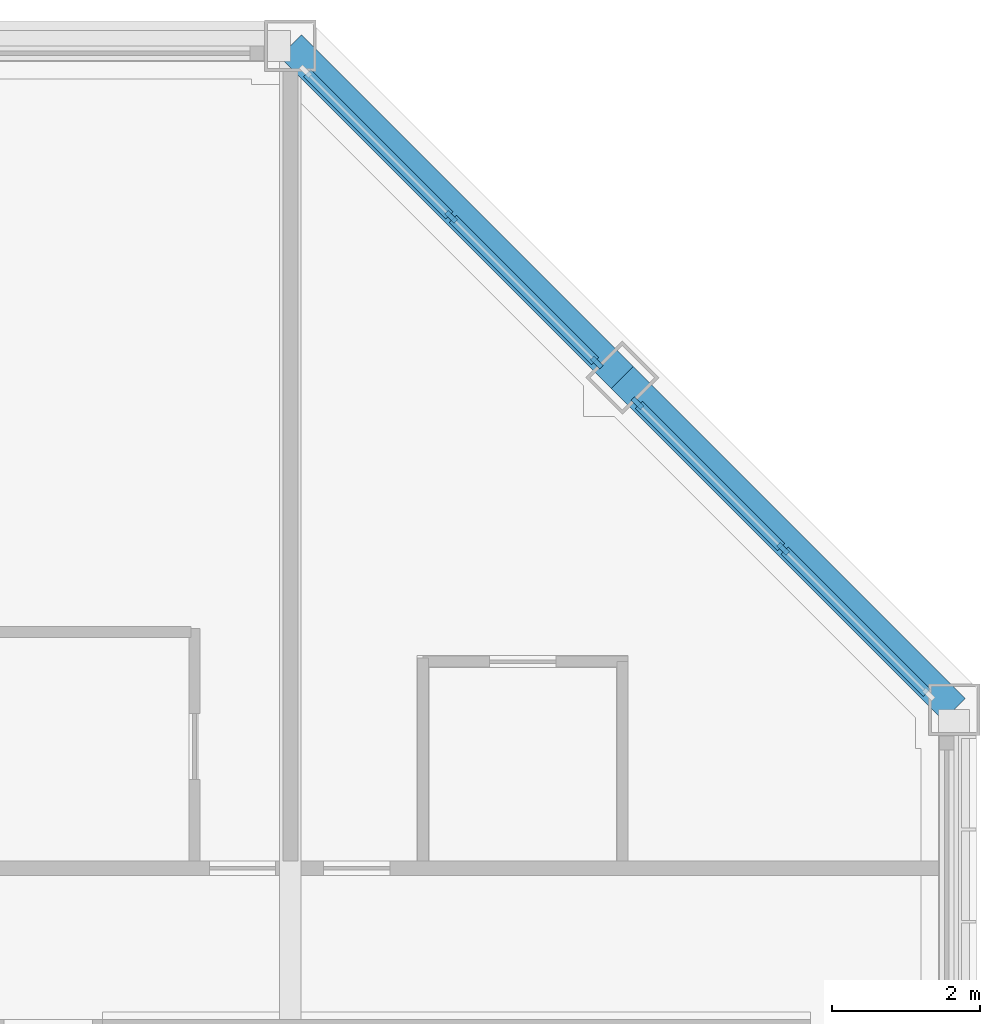
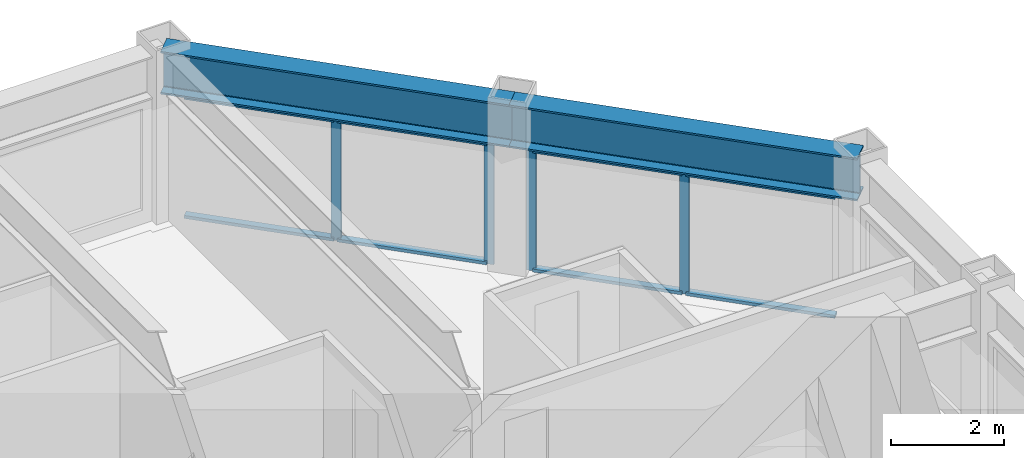
# One storey, part 7 of 17: 12 members, 2 beams, 2 elements without a shape of their own.
"""IFC4 building model written with IfcOpenShell, lengths in metres."""

from ifc_helpers import new_model, si_unit, direction, frame, origin, origin_2d, place, context, subcontext, project, spatial, rectangle, i_section, extrude, material, material_profile, profile_set, type_object, element, aggregate, save


model = new_model("IFC4")

# Units and contexts
model_context = context("Model", 3, precision=1e-05, world=origin(), true_north=direction((0.0, 1.0)))
body_context = subcontext(model_context, "Body", "Model", "MODEL_VIEW")
ifc_project = project(units=[si_unit("LENGTHUNIT", "METRE"), si_unit("AREAUNIT", "SQUARE_METRE"), si_unit("VOLUMEUNIT", "CUBIC_METRE"), si_unit("PLANEANGLEUNIT", "RADIAN"), si_unit("MASSUNIT", "GRAM", prefix="KILO")], contexts=[model_context])

# Site, building, storey
site_placement = place(None, origin())
site = spatial("IfcSite", under=ifc_project, at=site_placement, CompositionType="ELEMENT")
building_placement = place(site_placement, origin())
building = spatial("IfcBuilding", under=site, at=building_placement, Name="Msasa Ring Tower", CompositionType="ELEMENT")
storey_placement = place(building_placement, frame((0.0, 0.0, 242.050048828125)))
storey = spatial("IfcBuildingStorey", under=building, at=storey_placement, Name="L63", CompositionType="ELEMENT", Elevation=242.050048828125)

# Curtain wall, members
ifc_material_1 = material(Name="Aluminium curtain wall with clear glass", Category="aluminium")
curtain_wall_type = type_object("IfcCurtainWallType", Name="CW-C CHAMFER CORNER CURTAIN WALL", PredefinedType="NOTDEFINED", material=ifc_material_1)
curtain_wall_1_placement = place(storey_placement, origin())
curtain_wall_1 = element("IfcCurtainWall", 1, at=curtain_wall_1_placement, inside=storey, type_object=curtain_wall_type, Name="Chamfer corner curtain wall NE L63", PredefinedType="NOTDEFINED")
ifc_material_2 = material(Name="Aluminium mullion", Category="aluminium")
ifc_material_profile_1 = material_profile(ifc_material_2, rectangle(XDim=0.06494140625, YDim=0.179931640625, at=origin_2d()), Name="AL 65x180")
ifc_profile_set_1 = profile_set([ifc_material_profile_1], Name="Aluminium mullion")
member_type_1 = type_object("IfcMemberType", Name="CW-C MULLION 65x180", PredefinedType="MULLION", material=ifc_profile_set_1)
member_1_placement = place(storey_placement, frame((15.4052734375, 15.953369140625, 0.0), z_axis=(0.0, 0.0, 1.0), x_axis=(-0.707106781187, -0.707106781187, 0.0)))
member_1 = element("IfcMember", 2, at=member_1_placement, type_object=member_type_1, Name="CW-C mullion 1", PredefinedType="MULLION", context=body_context, shape_type="SweptSolid", body=[
    extrude(rectangle(XDim=0.06494140625, YDim=0.179931640625, at=origin_2d()), origin(), (0.0, 0.0, 1.0), 2.62890625),
])
member_2_placement = place(storey_placement, frame((13.42919921875, 17.92919921875, 0.0), z_axis=(0.0, 0.0, 1.0), x_axis=(-0.707106781187, -0.707106781187, 0.0)))
member_2 = element("IfcMember", 3, at=member_2_placement, type_object=member_type_1, Name="CW-C mullion 2", PredefinedType="MULLION", context=body_context, shape_type="SweptSolid", body=[
    extrude(rectangle(XDim=0.06494140625, YDim=0.179931640625, at=origin_2d()), origin(), (0.0, 0.0, 1.0), 2.62890625),
])

curtain_wall_2_placement = place(storey_placement, origin())
curtain_wall_2 = element("IfcCurtainWall", 4, at=curtain_wall_2_placement, inside=storey, type_object=curtain_wall_type, Name="Chamfer corner curtain wall NE L63", PredefinedType="NOTDEFINED")
member_3_placement = place(storey_placement, frame((17.92919921875, 13.42919921875, 0.0), z_axis=(0.0, 0.0, 1.0), x_axis=(-0.707106781187, -0.707106781187, 0.0)))
member_3 = element("IfcMember", 5, at=member_3_placement, type_object=member_type_1, Name="CW-C mullion 2", PredefinedType="MULLION", context=body_context, shape_type="SweptSolid", body=[
    extrude(rectangle(XDim=0.06494140625, YDim=0.179931640625, at=origin_2d()), origin(), (0.0, 0.0, 1.0), 2.62890625),
])
member_4_placement = place(storey_placement, frame((15.953369140625, 15.4052734375, 0.0), z_axis=(0.0, 0.0, 1.0), x_axis=(-0.707106781187, -0.707106781187, 0.0)))
member_4 = element("IfcMember", 6, at=member_4_placement, type_object=member_type_1, Name="CW-C mullion 3", PredefinedType="MULLION", context=body_context, shape_type="SweptSolid", body=[
    extrude(rectangle(XDim=0.06494140625, YDim=0.179931640625, at=origin_2d()), origin(), (0.0, 0.0, 1.0), 2.62890625),
])

# Member
ifc_material_3 = material(Name="Aluminium transom", Category="aluminium")
ifc_material_profile_2 = material_profile(ifc_material_3, rectangle(XDim=0.139892578125, YDim=0.06494140625, at=origin_2d()), Name="AL 65x140")
ifc_profile_set_2 = profile_set([ifc_material_profile_2], Name="Aluminium transom")
member_type_2 = type_object("IfcMemberType", Name="CW-C TRANSOM 65x140", PredefinedType="USERDEFINED", material=ifc_profile_set_2)
member_5_placement = place(storey_placement, frame((15.38232421875, 15.976318359375, 0.032470703125), z_axis=(-0.707106781187, 0.707106781187, 0.0), x_axis=(-0.707106781187, -0.707106781187, 0.0)))
member_5 = element("IfcMember", 7, at=member_5_placement, type_object=member_type_2, Name="CW-C transom 1.1", ObjectType="TRANSOM", PredefinedType="USERDEFINED", context=body_context, shape_type="SweptSolid", body=[
    extrude(rectangle(XDim=0.139892578125, YDim=0.06494140625, at=origin_2d()), origin(), (0.0, 0.0, 1.0), 2.729248046875),
])

member_6_placement = place(storey_placement, frame((15.38232421875, 15.976318359375, 2.596435546875), z_axis=(-0.707106781187, 0.707106781187, 0.0), x_axis=(-0.707106781187, -0.707106781187, 0.0)))
member_6 = element("IfcMember", 8, at=member_6_placement, type_object=member_type_2, Name="CW-C transom 1.2", ObjectType="TRANSOM", PredefinedType="USERDEFINED", context=body_context, shape_type="SweptSolid", body=[
    extrude(rectangle(XDim=0.139892578125, YDim=0.06494140625, at=origin_2d()), origin(), (0.0, 0.0, 1.0), 2.729248046875),
])

member_7_placement = place(storey_placement, frame((13.40625, 17.952392578125, 0.032470703125), z_axis=(-0.707106781187, 0.707106781187, 0.0), x_axis=(-0.707106781187, -0.707106781187, 0.0)))
member_7 = element("IfcMember", 9, at=member_7_placement, type_object=member_type_2, Name="CW-C transom 2.1", ObjectType="TRANSOM", PredefinedType="USERDEFINED", context=body_context, shape_type="SweptSolid", body=[
    extrude(rectangle(XDim=0.139892578125, YDim=0.06494140625, at=origin_2d()), origin(), (0.0, 0.0, 1.0), 2.729248046875),
])

member_8_placement = place(storey_placement, frame((13.40625, 17.952392578125, 2.596435546875), z_axis=(-0.707106781187, 0.707106781187, 0.0), x_axis=(-0.707106781187, -0.707106781187, 0.0)))
member_8 = element("IfcMember", 10, at=member_8_placement, type_object=member_type_2, Name="CW-C transom 2.2", ObjectType="TRANSOM", PredefinedType="USERDEFINED", context=body_context, shape_type="SweptSolid", body=[
    extrude(rectangle(XDim=0.139892578125, YDim=0.06494140625, at=origin_2d()), origin(), (0.0, 0.0, 1.0), 2.729248046875),
])

aggregate(curtain_wall_1, [member_1, member_2, member_5, member_6, member_7, member_8])

member_9_placement = place(storey_placement, frame((19.88232421875, 11.476318359375, 0.032470703125), z_axis=(-0.707106781187, 0.707106781187, 0.0), x_axis=(-0.707106781187, -0.707106781187, 0.0)))
member_9 = element("IfcMember", 11, at=member_9_placement, type_object=member_type_2, Name="CW-C transom 1.1", ObjectType="TRANSOM", PredefinedType="USERDEFINED", context=body_context, shape_type="SweptSolid", body=[
    extrude(rectangle(XDim=0.139892578125, YDim=0.06494140625, at=origin_2d()), origin(), (0.0, 0.0, 1.0), 2.729248046875),
])

member_10_placement = place(storey_placement, frame((19.88232421875, 11.476318359375, 2.596435546875), z_axis=(-0.707106781187, 0.707106781187, 0.0), x_axis=(-0.707106781187, -0.707106781187, 0.0)))
member_10 = element("IfcMember", 12, at=member_10_placement, type_object=member_type_2, Name="CW-C transom 1.2", ObjectType="TRANSOM", PredefinedType="USERDEFINED", context=body_context, shape_type="SweptSolid", body=[
    extrude(rectangle(XDim=0.139892578125, YDim=0.06494140625, at=origin_2d()), origin(), (0.0, 0.0, 1.0), 2.729248046875),
])

member_11_placement = place(storey_placement, frame((17.90625, 13.452392578125, 0.032470703125), z_axis=(-0.707106781187, 0.707106781187, 0.0), x_axis=(-0.707106781187, -0.707106781187, 0.0)))
member_11 = element("IfcMember", 13, at=member_11_placement, type_object=member_type_2, Name="CW-C transom 2.1", ObjectType="TRANSOM", PredefinedType="USERDEFINED", context=body_context, shape_type="SweptSolid", body=[
    extrude(rectangle(XDim=0.139892578125, YDim=0.06494140625, at=origin_2d()), origin(), (0.0, 0.0, 1.0), 2.729248046875),
])

member_12_placement = place(storey_placement, frame((17.90625, 13.452392578125, 2.596435546875), z_axis=(-0.707106781187, 0.707106781187, 0.0), x_axis=(-0.707106781187, -0.707106781187, 0.0)))
member_12 = element("IfcMember", 14, at=member_12_placement, type_object=member_type_2, Name="CW-C transom 2.2", ObjectType="TRANSOM", PredefinedType="USERDEFINED", context=body_context, shape_type="SweptSolid", body=[
    extrude(rectangle(XDim=0.139892578125, YDim=0.06494140625, at=origin_2d()), origin(), (0.0, 0.0, 1.0), 2.729248046875),
])

aggregate(curtain_wall_2, [member_3, member_4, member_9, member_10, member_11, member_12])

# Beams
ifc_material_4 = material(Name="Steel S355", Category="steel")
ifc_material_profile_3 = material_profile(ifc_material_4, i_section(OverallWidth=0.42041015625, OverallDepth=0.9208984375, WebThickness=0.021484375, FlangeThickness=0.03662109375, FilletRadius=0.024169921875, at=origin_2d()), Name="UB 914x419x388")
ifc_profile_set_3 = profile_set([ifc_material_profile_3], Name="Steel S355")
beam_type = type_object("IfcBeamType", Name="SB1 UB 914x419x388", PredefinedType="SPANDREL", material=ifc_profile_set_3)
for number, where, z_axis, x_axis, name in (
    (15, (20.25, 11.25, 3.08935546875), (-0.707106781187, 0.707106781187, 0.0), (-0.707106781187, -0.707106781187, 0.0), "Spandrel E+11.25 to NE under L64"),
    (16, (15.75, 15.75, 3.08935546875), (-0.707106781187, 0.707106781187, 0.0), (-0.707106781187, -0.707106781187, 0.0), "Spandrel NE to N+11.25 under L64"),
):
    element("IfcBeam", number, at=place(storey_placement, frame(where, z_axis=z_axis, x_axis=x_axis)), inside=storey, type_object=beam_type, Name=name, PredefinedType="SPANDREL", context=body_context, shape_type="SweptSolid", body=[
        extrude(i_section(OverallWidth=0.42041015625, OverallDepth=0.9208984375, WebThickness=0.021484375, FlangeThickness=0.03662109375, FilletRadius=0.024169921875, at=origin_2d()), origin(), (0.0, 0.0, 1.0), 6.364013671875),
    ])

save(model, "model.ifc")
